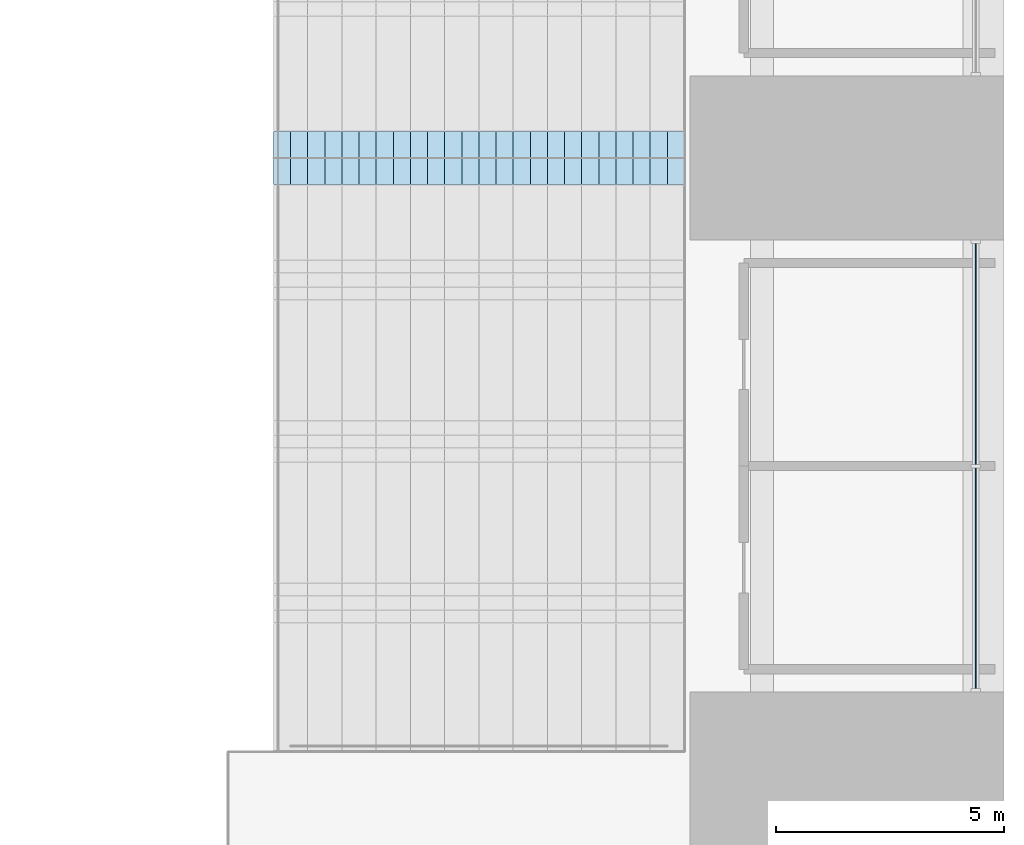
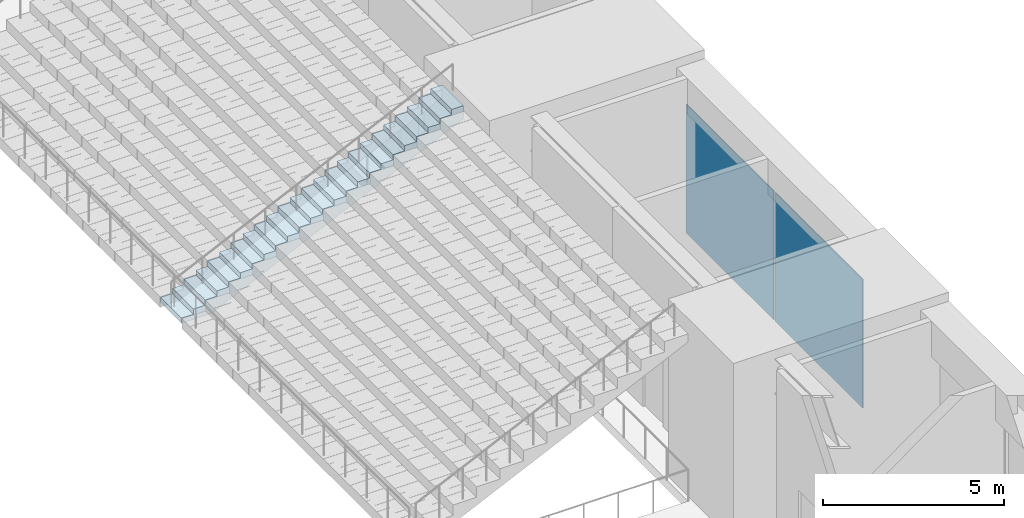
# One storey, part 25 of 61: 2 plates, 1 slab, 1 element without a shape of its own.
"""IFC4 building model written with IfcOpenShell, lengths in metres."""

from ifc_helpers import new_model, si_unit, direction, frame, origin, origin_2d, place, context, subcontext, project, spatial, polyline, rectangle, outline, extrude, material, layer, layer_set, type_object, element, aggregate, save


model = new_model("IFC4")

# Units and contexts
model_context = context("Model", 3, precision=1e-05, world=origin(), true_north=direction((0.0, 1.0)))
body_context = subcontext(model_context, "Body", "Model", "MODEL_VIEW")
ifc_project = project(units=[si_unit("LENGTHUNIT", "METRE"), si_unit("AREAUNIT", "SQUARE_METRE"), si_unit("VOLUMEUNIT", "CUBIC_METRE"), si_unit("PLANEANGLEUNIT", "RADIAN"), si_unit("MASSUNIT", "GRAM", prefix="KILO")], contexts=[model_context])

# Site, building, storey
site_placement = place(None, origin())
site = spatial("IfcSite", under=ifc_project, at=site_placement, CompositionType="ELEMENT")
building_placement = place(site_placement, origin())
building = spatial("IfcBuilding", under=site, at=building_placement, Name="Corbelhall Arena Tower", CompositionType="ELEMENT")
storey_placement = place(building_placement, frame((0.0, 0.0, 31.0)))
storey = spatial("IfcBuildingStorey", under=building, at=storey_placement, Name="L04", CompositionType="ELEMENT", Elevation=31.0)

# Slab
ifc_material_1 = material(Name="Precast concrete C40/50", Category="concrete")
ifc_layer_1 = layer(ifc_material_1, 0.25)
ifc_layer_set_1 = layer_set([ifc_layer_1], Name="AISLE STEPS (BC 1029)")
slab_type = type_object("IfcSlabType", Name="AISLE STEPS (BC 1029)", PredefinedType="FLOOR", material=ifc_layer_set_1)
slab_placement = place(storey_placement, frame((32.0, 0.0, 1.625), z_axis=(0.0, 0.0, 1.0), x_axis=(1.0, 0.0, 0.0)))
element("IfcSlab", 1, at=slab_placement, inside=storey, type_object=slab_type, Name="Aisle steps UE-AIS1", PredefinedType="FLOOR", context=body_context, shape_type="SweptSolid", body=[
    extrude(outline(polyline([(0.0, 0.0), (0.0, 0.175048828125), (0.375, 0.175048828125), (0.375, 0.35009765625), (0.75, 0.35009765625), (0.75, 0.52490234375), (1.125, 0.52490234375), (1.125, 0.699951171875), (1.5, 0.699951171875), (1.5, 0.875), (1.875, 0.875), (1.875, 1.050048828125), (2.25, 1.050048828125), (2.25, 1.22509765625), (2.625, 1.22509765625), (2.625, 1.39990234375), (3.0, 1.39990234375), (3.0, 1.574951171875), (3.375, 1.574951171875), (3.375, 1.75), (3.75, 1.75), (3.75, 1.925048828125), (4.125, 1.925048828125), (4.125, 2.10009765625), (4.5, 2.10009765625), (4.5, 2.27490234375), (4.875, 2.27490234375), (4.875, 2.449951171875), (5.25, 2.449951171875), (5.25, 2.625), (5.625, 2.625), (5.625, 2.800048828125), (6.0, 2.800048828125), (6.0, 2.97509765625), (6.375, 2.97509765625), (6.375, 3.14990234375), (6.75, 3.14990234375), (6.75, 3.324951171875), (7.125, 3.324951171875), (7.125, 3.5), (7.5, 3.5), (7.5, 3.675048828125), (7.875, 3.675048828125), (7.875, 3.85009765625), (8.25, 3.85009765625), (8.25, 4.02490234375), (8.625, 4.02490234375), (8.625, 4.199951171875), (9.0, 4.199951171875), (9.0, 4.375), (9.0, 3.7490234375), (0.966552734375, 0.0), (0.0, 0.0)])), frame((0.0, 0.580078125, 0.0), z_axis=(0.0, -1.0, 0.0), x_axis=(1.0, 0.0, 0.0)), (0.0, 0.0, 1.0), 1.159912109375),
])

# Curtain wall, plates
ifc_material_2 = material(Name="Aluminium black anodised", Category="aluminium")
ifc_layer_2 = layer(ifc_material_2, 0.239990234375)
ifc_layer_set_2 = layer_set([ifc_layer_2], Name="EV-CW4 Arena concourse glazing")
curtain_wall_type = type_object("IfcCurtainWallType", Name="EV-CW4 Arena concourse glazing", PredefinedType="NOTDEFINED", material=ifc_layer_set_2)
curtain_wall_placement = place(storey_placement, origin())
curtain_wall = element("IfcCurtainWall", 2, at=curtain_wall_placement, inside=storey, type_object=curtain_wall_type, Name="Curtain wall CW4", PredefinedType="NOTDEFINED")
ifc_material_3 = material(Name="Glass dark tinted laminated", Category="glass")
ifc_layer_3 = layer(ifc_material_3, 0.028076171875)
ifc_layer_set_3 = layer_set([ifc_layer_3], Name="EV-CW4-PANEL")
plate_type = type_object("IfcPlateType", Name="EV-CW4-PANEL", PredefinedType="CURTAIN_PANEL", material=ifc_layer_set_3)
plate_1_placement = place(storey_placement, frame((47.3798828125, -9.206298828125, 0.074951171875), z_axis=(0.0, 0.0, 1.0), x_axis=(0.0, 1.0, 0.0)))
plate_1 = element("IfcPlate", 3, at=plate_1_placement, type_object=plate_type, Name="CW4 panel 1.1", PredefinedType="CURTAIN_PANEL", context=body_context, shape_type="SweptSolid", body=[
    extrude(rectangle(XDim=4.83740234375, YDim=0.028076171875, at=origin_2d()), origin(), (0.0, 0.0, 1.0), 4.35009765625),
])
plate_2_placement = place(storey_placement, frame((47.3798828125, -4.293701171875, 0.074951171875), z_axis=(0.0, 0.0, 1.0), x_axis=(0.0, 1.0, 0.0)))
plate_2 = element("IfcPlate", 4, at=plate_2_placement, type_object=plate_type, Name="CW4 panel 2.1", PredefinedType="CURTAIN_PANEL", context=body_context, shape_type="SweptSolid", body=[
    extrude(rectangle(XDim=4.83740234375, YDim=0.028076171875, at=origin_2d()), origin(), (0.0, 0.0, 1.0), 4.35009765625),
])
aggregate(curtain_wall, [plate_1, plate_2])

save(model, "model.ifc")
